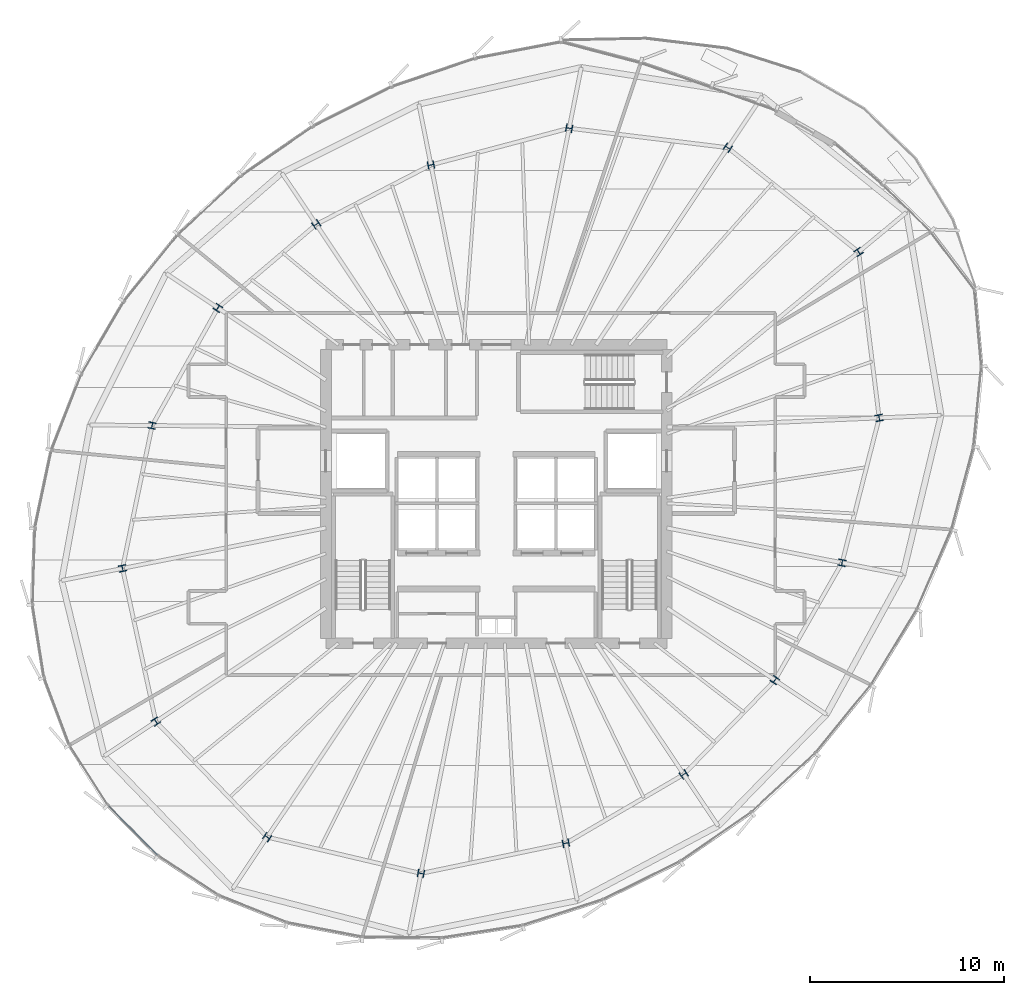
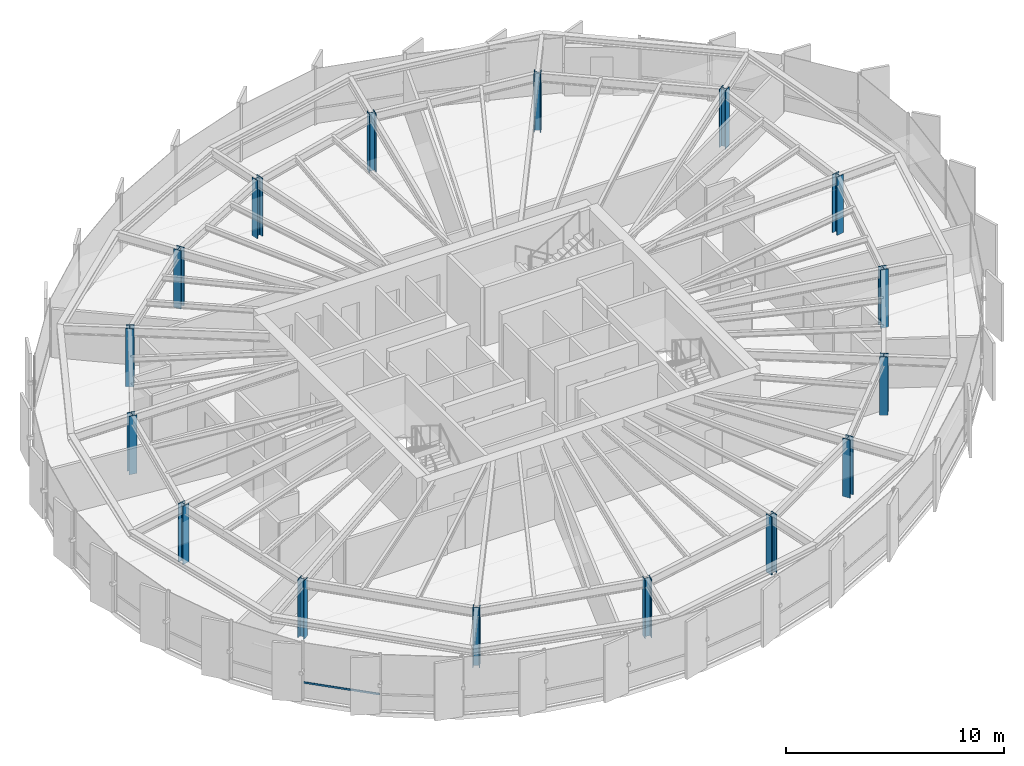
# One storey, part 1 of 34: 16 columns, 1 member, 1 element without a shape of its own.
"""IFC4 building model written with IfcOpenShell, lengths in metres."""

from ifc_helpers import new_model, si_unit, direction, frame, origin, origin_2d, place, context, subcontext, project, spatial, hollow_rectangle, i_section, extrude, source, transform, mapped, material, layer, layer_set, material_profile, profile_set, type_object, element, aggregate, save


model = new_model("IFC4")

# Units and contexts
model_context = context("Model", 3, precision=1e-05, world=origin(), true_north=direction((0.0, 1.0)))
body_context = subcontext(model_context, "Body", "Model", "MODEL_VIEW")
ifc_project = project(units=[si_unit("LENGTHUNIT", "METRE"), si_unit("AREAUNIT", "SQUARE_METRE"), si_unit("VOLUMEUNIT", "CUBIC_METRE"), si_unit("PLANEANGLEUNIT", "RADIAN"), si_unit("MASSUNIT", "GRAM", prefix="KILO"), si_unit("THERMODYNAMICTEMPERATUREUNIT", "KELVIN")], contexts=[model_context])

# Site, building, storey
site_placement = place(None, origin())
site = spatial("IfcSite", under=ifc_project, at=site_placement, CompositionType="ELEMENT")
building_placement = place(site_placement, origin())
building = spatial("IfcBuilding", under=site, at=building_placement, Name="Kethvar Cultural Tower", CompositionType="ELEMENT")
storey_placement = place(building_placement, frame((0.0, 0.0, 190.39990234375)))
storey = spatial("IfcBuildingStorey", under=building, at=storey_placement, Name="L49", CompositionType="ELEMENT", Elevation=190.39990234375)

# Columns
ifc_material_1 = material(Name="Steel S460M", Category="steel")
ifc_material_profile_1 = material_profile(ifc_material_1, i_section(OverallWidth=0.39111328125, OverallDepth=0.3349609375, WebThickness=0.022705078125, FlangeThickness=0.033935546875, FilletRadius=0.014892578125, at=origin_2d()), Name="Steel S460M — HD400x463")
ifc_profile_set_1 = profile_set([ifc_material_profile_1], Name="Steel S460M — HD400x463")
column_type = type_object("IfcColumnType", Name="COL-HD463", PredefinedType="COLUMN", material=ifc_profile_set_1)
shared_shape_1 = source(origin(), body_context, "Body", "SweptSolid", [
    extrude(i_section(OverallWidth=0.39111328125, OverallDepth=0.3349609375, WebThickness=0.022705078125, FlangeThickness=0.033935546875, FilletRadius=0.014892578125, at=origin_2d()), origin(), (0.0, 0.0, 1.0), 3.260009765625),
])
for number, where, z_axis, x_axis, name in (
    (1, (66.56396484375, 31.731201171875, 0.0), (0.0, 0.0, 1.0), (0.980785280403, 0.195090322016, 0.0), "L49 Mega-Column MC-01"),
    (2, (65.504150390625, 40.297607421875, 0.0), (0.0, 0.0, 1.0), (0.831469612303, 0.55557023302, 0.0), "L49 Mega-Column MC-02"),
    (3, (58.748046875, 45.681396484375, 0.0), (0.0, 0.0, 1.0), (0.55557023302, 0.831469612303, 0.0), "L49 Mega-Column MC-03"),
    (4, (50.556884765625, 46.6875, 0.0), (0.0, 0.0, 1.0), (0.195090322016, 0.980785280403, 0.0), "L49 Mega-Column MC-04"),
    (5, (43.420654296875, 44.789306640625, 0.0), (0.0, 0.0, 1.0), (-0.195090322016, 0.980785280403, 0.0), "L49 Mega-Column MC-05"),
    (6, (37.498779296875, 41.720458984375, 0.0), (0.0, 0.0, 1.0), (-0.55557023302, 0.831469612303, 0.0), "L49 Mega-Column MC-06"),
    (7, (32.418212890625, 37.409423828125, 0.0), (0.0, 0.0, 1.0), (-0.831469612303, 0.55557023302, 0.0), "L49 Mega-Column MC-07"),
    (8, (29.02490234375, 31.335693359375, 0.0), (0.0, 0.0, 1.0), (-0.980785280403, 0.195090322016, 0.0), "L49 Mega-Column MC-08"),
    (9, (27.492919921875, 23.959716796875, 0.0), (0.0, 0.0, 1.0), (-0.980785280403, -0.195090322016, 0.0), "L49 Mega-Column MC-09"),
    (10, (29.217529296875, 16.0517578125, 0.0), (0.0, 0.0, 1.0), (-0.831469612303, -0.55557023302, 0.0), "L49 Mega-Column MC-10"),
    (11, (34.962646484375, 10.084228515625, 0.0), (0.0, 0.0, 1.0), (-0.55557023302, -0.831469612303, 0.0), "L49 Mega-Column MC-11"),
    (12, (42.903564453125, 8.2109375, 0.0), (0.0, 0.0, 1.0), (-0.195090322016, -0.980785280403, 0.0), "L49 Mega-Column MC-12"),
    (13, (50.38671875, 9.7685546875, 0.0), (0.0, 0.0, 1.0), (0.195090322016, -0.980785280403, 0.0), "L49 Mega-Column MC-13"),
    (14, (56.474609375, 13.32080078125, 0.0), (0.0, 0.0, 1.0), (0.55557023302, -0.831469612303, 0.0), "L49 Mega-Column MC-14"),
    (15, (61.1826171875, 18.18994140625, 0.0), (0.0, 0.0, 1.0), (0.831469612303, -0.55557023302, 0.0), "L49 Mega-Column MC-15"),
    (16, (64.648681640625, 24.249755859375, 0.0), (0.0, 0.0, 1.0), (0.980785280403, -0.195090322016, 0.0), "L49 Mega-Column MC-16"),
):
    element("IfcColumn", number, at=place(storey_placement, frame(where, z_axis=z_axis, x_axis=x_axis)), inside=storey, type_object=column_type, Name=name, PredefinedType="COLUMN", context=body_context, shape_type="MappedRepresentation", body=[
        mapped(shared_shape_1, transform((0.0, 0.0, 0.0), scale=1.0)),
    ])

# Curtain wall, member
ifc_material_2 = material(Name="Aluminium 6063-T6", Category="aluminium")
ifc_layer = layer(ifc_material_2, 0.179931640625, Name="Aluminium 6063-T6", Category="aluminium")
ifc_layer_set = layer_set([ifc_layer], Name="Aluminium 6063-T6 (180 mm)")
curtain_wall_type = type_object("IfcCurtainWallType", Name="CW-SYS-04-Z34", PredefinedType="NOTDEFINED", material=ifc_layer_set)
curtain_wall_placement = place(storey_placement, origin())
curtain_wall = element("IfcCurtainWall", 17, at=curtain_wall_placement, inside=storey, type_object=curtain_wall_type, Name="L49 Curtain Wall Run 04", PredefinedType="NOTDEFINED")
ifc_material_profile_2 = material_profile(ifc_material_2, hollow_rectangle(XDim=0.050048828125, YDim=0.10009765625, WallThickness=0.00390625, at=origin_2d()), Name="Aluminium 6063-T6 — RHS100x50x4")
ifc_profile_set_2 = profile_set([ifc_material_profile_2], Name="Aluminium 6063-T6 — RHS100x50x4")
member_type = type_object("IfcMemberType", Name="CW-SYS-04-Z34-TRN", PredefinedType="USERDEFINED", material=ifc_profile_set_2)
shared_shape_2 = source(origin(), body_context, "Body", "SweptSolid", [
    extrude(hollow_rectangle(XDim=0.050048828125, YDim=0.10009765625, WallThickness=0.00390625, at=origin_2d()), origin(), (0.0, 0.0, 1.0), 3.6083984375),
])
member_placement = place(storey_placement, frame((26.766357421875, 11.7099609375, 0.9501953125), z_axis=(0.704531072684, -0.709673141399, 0.0), x_axis=(0.709673141399, 0.704531072684, 0.0)))
member = element("IfcMember", 18, at=member_placement, type_object=member_type, Name="CW-L49-R04 Transom 5", ObjectType="TRANSOM", PredefinedType="USERDEFINED", context=body_context, shape_type="MappedRepresentation", body=[
    mapped(shared_shape_2, transform((0.0, 0.0, 0.0), scale=1.0)),
])
aggregate(curtain_wall, [member])

save(model, "model.ifc")
